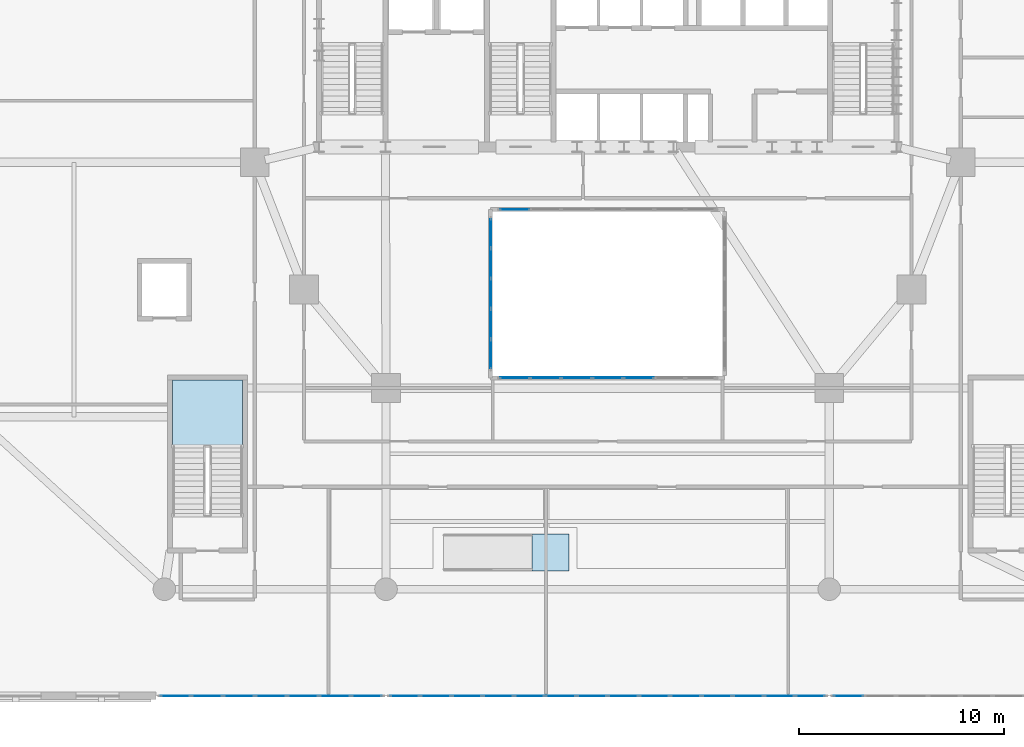
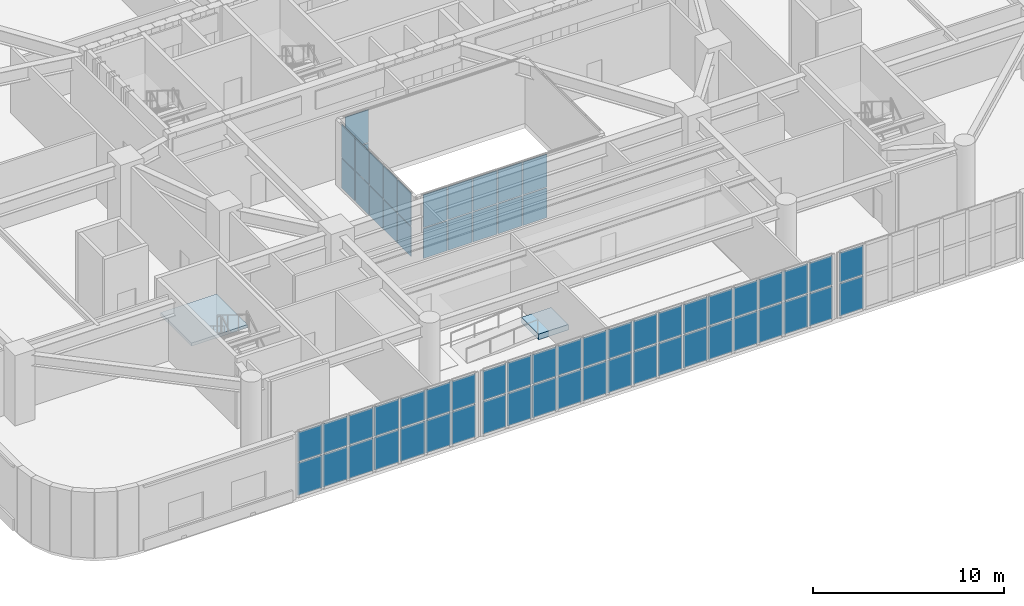
# One storey, part 11 of 25: 66 plates, 2 slabs, 8 elements without a shape of their own.
"""IFC4 building model written with IfcOpenShell, lengths in metres."""

from ifc_helpers import new_model, si_unit, direction, frame, origin, origin_2d, place, context, subcontext, project, spatial, polyline, rectangle, outline, extrude, material, layer, layer_set, type_object, element, aggregate, save


model = new_model("IFC4")

# Units and contexts
model_context = context("Model", 3, precision=1e-05, world=origin(), true_north=direction((0.0, 1.0)))
body_context = subcontext(model_context, "Body", "Model", "MODEL_VIEW")
ifc_project = project(units=[si_unit("LENGTHUNIT", "METRE"), si_unit("AREAUNIT", "SQUARE_METRE"), si_unit("VOLUMEUNIT", "CUBIC_METRE"), si_unit("PLANEANGLEUNIT", "RADIAN"), si_unit("MASSUNIT", "GRAM", prefix="KILO")], contexts=[model_context])

# Site, building, storey
site_placement = place(None, origin())
site = spatial("IfcSite", under=ifc_project, at=site_placement, CompositionType="ELEMENT")
building_placement = place(site_placement, origin())
building = spatial("IfcBuilding", under=site, at=building_placement, Name="Haldorwick Loom Tower", CompositionType="ELEMENT")
storey_placement = place(building_placement, frame((0.0, 0.0, 6.0)))
storey = spatial("IfcBuildingStorey", under=building, at=storey_placement, Name="L01", CompositionType="ELEMENT", Elevation=6.0)

# Curtain wall, plates
ifc_material_1 = material(Name="Thermally Broken Anodized Aluminium Curtain Wall Framing", Category="aluminium")
curtain_wall_type_1 = type_object("IfcCurtainWallType", Name="ARC-CW-01", PredefinedType="NOTDEFINED", material=ifc_material_1)
curtain_wall_1_placement = place(storey_placement, origin())
curtain_wall_1 = element("IfcCurtainWall", 1, at=curtain_wall_1_placement, inside=storey, type_object=curtain_wall_type_1, Name="L01 Facade Curtain Wall CW-01 Bay 39", PredefinedType="NOTDEFINED")
ifc_material_2 = material(Name="Triple-Glazed Low-E Argon Insulated Glazing Unit", Category="glass")
ifc_layer_1 = layer(ifc_material_2, 0.037109375, Name="Triple-Glazed Low-E Argon Insulated Glazing Unit", Category="glass")
ifc_layer_set_1 = layer_set([ifc_layer_1], Name="Triple-Glazed Low-E Argon Insulated Glazing Unit")
plate_type_1 = type_object("IfcPlateType", Name="ARC-CWP-01", PredefinedType="CURTAIN_PANEL", material=ifc_layer_set_1)
plate_1_placement = place(storey_placement, frame((14.938720703125, 0.0, 0.074951171875), z_axis=(0.0, 0.0, 1.0), x_axis=(1.0, 0.0, 0.0)))
plate_1 = element("IfcPlate", 2, at=plate_1_placement, type_object=plate_type_1, Name="CW-01 panel 1.1", PredefinedType="CURTAIN_PANEL", context=body_context, shape_type="SweptSolid", body=[
    extrude(rectangle(XDim=1.447509765625, YDim=0.037109375, at=origin_2d()), origin(), (0.0, 0.0, 1.0), 2.08740234375),
])
plate_2_placement = place(storey_placement, frame((14.938720703125, 0.0, 2.2373046875), z_axis=(0.0, 0.0, 1.0), x_axis=(1.0, 0.0, 0.0)))
plate_2 = element("IfcPlate", 3, at=plate_2_placement, type_object=plate_type_1, Name="CW-01 panel 1.2", PredefinedType="CURTAIN_PANEL", context=body_context, shape_type="SweptSolid", body=[
    extrude(rectangle(XDim=1.447509765625, YDim=0.037109375, at=origin_2d()), origin(), (0.0, 0.0, 1.0), 1.887451171875),
])
plate_3_placement = place(storey_placement, frame((16.47998046875, 0.0, 0.074951171875), z_axis=(0.0, 0.0, 1.0), x_axis=(1.0, 0.0, 0.0)))
plate_3 = element("IfcPlate", 4, at=plate_3_placement, type_object=plate_type_1, Name="CW-01 panel 2.1", PredefinedType="CURTAIN_PANEL", context=body_context, shape_type="SweptSolid", body=[
    extrude(rectangle(XDim=1.485107421875, YDim=0.037109375, at=origin_2d()), origin(), (0.0, 0.0, 1.0), 2.08740234375),
])
plate_4_placement = place(storey_placement, frame((16.47998046875, 0.0, 2.2373046875), z_axis=(0.0, 0.0, 1.0), x_axis=(1.0, 0.0, 0.0)))
plate_4 = element("IfcPlate", 5, at=plate_4_placement, type_object=plate_type_1, Name="CW-01 panel 2.2", PredefinedType="CURTAIN_PANEL", context=body_context, shape_type="SweptSolid", body=[
    extrude(rectangle(XDim=1.485107421875, YDim=0.037109375, at=origin_2d()), origin(), (0.0, 0.0, 1.0), 1.887451171875),
])
plate_5_placement = place(storey_placement, frame((18.0400390625, 0.0, 0.074951171875), z_axis=(0.0, 0.0, 1.0), x_axis=(1.0, 0.0, 0.0)))
plate_5 = element("IfcPlate", 6, at=plate_5_placement, type_object=plate_type_1, Name="CW-01 panel 3.1", PredefinedType="CURTAIN_PANEL", context=body_context, shape_type="SweptSolid", body=[
    extrude(rectangle(XDim=1.485107421875, YDim=0.037109375, at=origin_2d()), origin(), (0.0, 0.0, 1.0), 2.08740234375),
])
plate_6_placement = place(storey_placement, frame((18.0400390625, 0.0, 2.2373046875), z_axis=(0.0, 0.0, 1.0), x_axis=(1.0, 0.0, 0.0)))
plate_6 = element("IfcPlate", 7, at=plate_6_placement, type_object=plate_type_1, Name="CW-01 panel 3.2", PredefinedType="CURTAIN_PANEL", context=body_context, shape_type="SweptSolid", body=[
    extrude(rectangle(XDim=1.485107421875, YDim=0.037109375, at=origin_2d()), origin(), (0.0, 0.0, 1.0), 1.887451171875),
])
plate_7_placement = place(storey_placement, frame((19.60009765625, 0.0, 0.074951171875), z_axis=(0.0, 0.0, 1.0), x_axis=(1.0, 0.0, 0.0)))
plate_7 = element("IfcPlate", 8, at=plate_7_placement, type_object=plate_type_1, Name="CW-01 panel 4.1", PredefinedType="CURTAIN_PANEL", context=body_context, shape_type="SweptSolid", body=[
    extrude(rectangle(XDim=1.485107421875, YDim=0.037109375, at=origin_2d()), origin(), (0.0, 0.0, 1.0), 2.08740234375),
])
plate_8_placement = place(storey_placement, frame((19.60009765625, 0.0, 2.2373046875), z_axis=(0.0, 0.0, 1.0), x_axis=(1.0, 0.0, 0.0)))
plate_8 = element("IfcPlate", 9, at=plate_8_placement, type_object=plate_type_1, Name="CW-01 panel 4.2", PredefinedType="CURTAIN_PANEL", context=body_context, shape_type="SweptSolid", body=[
    extrude(rectangle(XDim=1.485107421875, YDim=0.037109375, at=origin_2d()), origin(), (0.0, 0.0, 1.0), 1.887451171875),
])
plate_9_placement = place(storey_placement, frame((21.159912109375, 0.0, 0.074951171875), z_axis=(0.0, 0.0, 1.0), x_axis=(1.0, 0.0, 0.0)))
plate_9 = element("IfcPlate", 10, at=plate_9_placement, type_object=plate_type_1, Name="CW-01 panel 5.1", PredefinedType="CURTAIN_PANEL", context=body_context, shape_type="SweptSolid", body=[
    extrude(rectangle(XDim=1.485107421875, YDim=0.037109375, at=origin_2d()), origin(), (0.0, 0.0, 1.0), 2.08740234375),
])
plate_10_placement = place(storey_placement, frame((21.159912109375, 0.0, 2.2373046875), z_axis=(0.0, 0.0, 1.0), x_axis=(1.0, 0.0, 0.0)))
plate_10 = element("IfcPlate", 11, at=plate_10_placement, type_object=plate_type_1, Name="CW-01 panel 5.2", PredefinedType="CURTAIN_PANEL", context=body_context, shape_type="SweptSolid", body=[
    extrude(rectangle(XDim=1.485107421875, YDim=0.037109375, at=origin_2d()), origin(), (0.0, 0.0, 1.0), 1.887451171875),
])
plate_11_placement = place(storey_placement, frame((22.719970703125, 0.0, 0.074951171875), z_axis=(0.0, 0.0, 1.0), x_axis=(1.0, 0.0, 0.0)))
plate_11 = element("IfcPlate", 12, at=plate_11_placement, type_object=plate_type_1, Name="CW-01 panel 6.1", PredefinedType="CURTAIN_PANEL", context=body_context, shape_type="SweptSolid", body=[
    extrude(rectangle(XDim=1.485107421875, YDim=0.037109375, at=origin_2d()), origin(), (0.0, 0.0, 1.0), 2.08740234375),
])
plate_12_placement = place(storey_placement, frame((22.719970703125, 0.0, 2.2373046875), z_axis=(0.0, 0.0, 1.0), x_axis=(1.0, 0.0, 0.0)))
plate_12 = element("IfcPlate", 13, at=plate_12_placement, type_object=plate_type_1, Name="CW-01 panel 6.2", PredefinedType="CURTAIN_PANEL", context=body_context, shape_type="SweptSolid", body=[
    extrude(rectangle(XDim=1.485107421875, YDim=0.037109375, at=origin_2d()), origin(), (0.0, 0.0, 1.0), 1.887451171875),
])
plate_13_placement = place(storey_placement, frame((24.26123046875, 0.0, 0.074951171875), z_axis=(0.0, 0.0, 1.0), x_axis=(1.0, 0.0, 0.0)))
plate_13 = element("IfcPlate", 14, at=plate_13_placement, type_object=plate_type_1, Name="CW-01 panel 7.1", PredefinedType="CURTAIN_PANEL", context=body_context, shape_type="SweptSolid", body=[
    extrude(rectangle(XDim=1.447509765625, YDim=0.037109375, at=origin_2d()), origin(), (0.0, 0.0, 1.0), 2.08740234375),
])
plate_14_placement = place(storey_placement, frame((24.26123046875, 0.0, 2.2373046875), z_axis=(0.0, 0.0, 1.0), x_axis=(1.0, 0.0, 0.0)))
plate_14 = element("IfcPlate", 15, at=plate_14_placement, type_object=plate_type_1, Name="CW-01 panel 7.2", PredefinedType="CURTAIN_PANEL", context=body_context, shape_type="SweptSolid", body=[
    extrude(rectangle(XDim=1.447509765625, YDim=0.037109375, at=origin_2d()), origin(), (0.0, 0.0, 1.0), 1.887451171875),
])
aggregate(curtain_wall_1, [plate_1, plate_2, plate_3, plate_4, plate_5, plate_6, plate_7, plate_8, plate_9, plate_10, plate_11, plate_12, plate_13, plate_14])

curtain_wall_2_placement = place(storey_placement, origin())
curtain_wall_2 = element("IfcCurtainWall", 16, at=curtain_wall_2_placement, inside=storey, type_object=curtain_wall_type_1, Name="L01 Facade Curtain Wall CW-01 Bay 40", PredefinedType="NOTDEFINED")
plate_15_placement = place(storey_placement, frame((26.1201171875, 0.0, 0.074951171875), z_axis=(0.0, 0.0, 1.0), x_axis=(1.0, 0.0, 0.0)))
plate_15 = element("IfcPlate", 17, at=plate_15_placement, type_object=plate_type_1, Name="CW-01 panel 1.1", PredefinedType="CURTAIN_PANEL", context=body_context, shape_type="SweptSolid", body=[
    extrude(rectangle(XDim=1.410400390625, YDim=0.037109375, at=origin_2d()), origin(), (0.0, 0.0, 1.0), 2.08740234375),
])
plate_16_placement = place(storey_placement, frame((26.1201171875, 0.0, 2.2373046875), z_axis=(0.0, 0.0, 1.0), x_axis=(1.0, 0.0, 0.0)))
plate_16 = element("IfcPlate", 18, at=plate_16_placement, type_object=plate_type_1, Name="CW-01 panel 1.2", PredefinedType="CURTAIN_PANEL", context=body_context, shape_type="SweptSolid", body=[
    extrude(rectangle(XDim=1.410400390625, YDim=0.037109375, at=origin_2d()), origin(), (0.0, 0.0, 1.0), 1.887451171875),
])
plate_17_placement = place(storey_placement, frame((27.624267578125, 0.0, 0.074951171875), z_axis=(0.0, 0.0, 1.0), x_axis=(1.0, 0.0, 0.0)))
plate_17 = element("IfcPlate", 19, at=plate_17_placement, type_object=plate_type_1, Name="CW-01 panel 2.1", PredefinedType="CURTAIN_PANEL", context=body_context, shape_type="SweptSolid", body=[
    extrude(rectangle(XDim=1.44775390625, YDim=0.037109375, at=origin_2d()), origin(), (0.0, 0.0, 1.0), 2.08740234375),
])
plate_18_placement = place(storey_placement, frame((27.624267578125, 0.0, 2.2373046875), z_axis=(0.0, 0.0, 1.0), x_axis=(1.0, 0.0, 0.0)))
plate_18 = element("IfcPlate", 20, at=plate_18_placement, type_object=plate_type_1, Name="CW-01 panel 2.2", PredefinedType="CURTAIN_PANEL", context=body_context, shape_type="SweptSolid", body=[
    extrude(rectangle(XDim=1.44775390625, YDim=0.037109375, at=origin_2d()), origin(), (0.0, 0.0, 1.0), 1.887451171875),
])
plate_19_placement = place(storey_placement, frame((29.147216796875, 0.0, 0.074951171875), z_axis=(0.0, 0.0, 1.0), x_axis=(1.0, 0.0, 0.0)))
plate_19 = element("IfcPlate", 21, at=plate_19_placement, type_object=plate_type_1, Name="CW-01 panel 3.1", PredefinedType="CURTAIN_PANEL", context=body_context, shape_type="SweptSolid", body=[
    extrude(rectangle(XDim=1.44775390625, YDim=0.037109375, at=origin_2d()), origin(), (0.0, 0.0, 1.0), 2.08740234375),
])
plate_20_placement = place(storey_placement, frame((29.147216796875, 0.0, 2.2373046875), z_axis=(0.0, 0.0, 1.0), x_axis=(1.0, 0.0, 0.0)))
plate_20 = element("IfcPlate", 22, at=plate_20_placement, type_object=plate_type_1, Name="CW-01 panel 3.2", PredefinedType="CURTAIN_PANEL", context=body_context, shape_type="SweptSolid", body=[
    extrude(rectangle(XDim=1.44775390625, YDim=0.037109375, at=origin_2d()), origin(), (0.0, 0.0, 1.0), 1.887451171875),
])
plate_21_placement = place(storey_placement, frame((30.669921875, 0.0, 0.074951171875), z_axis=(0.0, 0.0, 1.0), x_axis=(1.0, 0.0, 0.0)))
plate_21 = element("IfcPlate", 23, at=plate_21_placement, type_object=plate_type_1, Name="CW-01 panel 4.1", PredefinedType="CURTAIN_PANEL", context=body_context, shape_type="SweptSolid", body=[
    extrude(rectangle(XDim=1.44775390625, YDim=0.037109375, at=origin_2d()), origin(), (0.0, 0.0, 1.0), 2.08740234375),
])
plate_22_placement = place(storey_placement, frame((30.669921875, 0.0, 2.2373046875), z_axis=(0.0, 0.0, 1.0), x_axis=(1.0, 0.0, 0.0)))
plate_22 = element("IfcPlate", 24, at=plate_22_placement, type_object=plate_type_1, Name="CW-01 panel 4.2", PredefinedType="CURTAIN_PANEL", context=body_context, shape_type="SweptSolid", body=[
    extrude(rectangle(XDim=1.44775390625, YDim=0.037109375, at=origin_2d()), origin(), (0.0, 0.0, 1.0), 1.887451171875),
])
plate_23_placement = place(storey_placement, frame((32.19287109375, 0.0, 0.074951171875), z_axis=(0.0, 0.0, 1.0), x_axis=(1.0, 0.0, 0.0)))
plate_23 = element("IfcPlate", 25, at=plate_23_placement, type_object=plate_type_1, Name="CW-01 panel 5.1", PredefinedType="CURTAIN_PANEL", context=body_context, shape_type="SweptSolid", body=[
    extrude(rectangle(XDim=1.44775390625, YDim=0.037109375, at=origin_2d()), origin(), (0.0, 0.0, 1.0), 2.08740234375),
])
plate_24_placement = place(storey_placement, frame((32.19287109375, 0.0, 2.2373046875), z_axis=(0.0, 0.0, 1.0), x_axis=(1.0, 0.0, 0.0)))
plate_24 = element("IfcPlate", 26, at=plate_24_placement, type_object=plate_type_1, Name="CW-01 panel 5.2", PredefinedType="CURTAIN_PANEL", context=body_context, shape_type="SweptSolid", body=[
    extrude(rectangle(XDim=1.44775390625, YDim=0.037109375, at=origin_2d()), origin(), (0.0, 0.0, 1.0), 1.887451171875),
])
plate_25_placement = place(storey_placement, frame((33.7158203125, 0.0, 0.074951171875), z_axis=(0.0, 0.0, 1.0), x_axis=(1.0, 0.0, 0.0)))
plate_25 = element("IfcPlate", 27, at=plate_25_placement, type_object=plate_type_1, Name="CW-01 panel 6.1", PredefinedType="CURTAIN_PANEL", context=body_context, shape_type="SweptSolid", body=[
    extrude(rectangle(XDim=1.44775390625, YDim=0.037109375, at=origin_2d()), origin(), (0.0, 0.0, 1.0), 2.08740234375),
])
plate_26_placement = place(storey_placement, frame((33.7158203125, 0.0, 2.2373046875), z_axis=(0.0, 0.0, 1.0), x_axis=(1.0, 0.0, 0.0)))
plate_26 = element("IfcPlate", 28, at=plate_26_placement, type_object=plate_type_1, Name="CW-01 panel 6.2", PredefinedType="CURTAIN_PANEL", context=body_context, shape_type="SweptSolid", body=[
    extrude(rectangle(XDim=1.44775390625, YDim=0.037109375, at=origin_2d()), origin(), (0.0, 0.0, 1.0), 1.887451171875),
])
plate_27_placement = place(storey_placement, frame((35.238525390625, 0.0, 0.074951171875), z_axis=(0.0, 0.0, 1.0), x_axis=(1.0, 0.0, 0.0)))
plate_27 = element("IfcPlate", 29, at=plate_27_placement, type_object=plate_type_1, Name="CW-01 panel 7.1", PredefinedType="CURTAIN_PANEL", context=body_context, shape_type="SweptSolid", body=[
    extrude(rectangle(XDim=1.44775390625, YDim=0.037109375, at=origin_2d()), origin(), (0.0, 0.0, 1.0), 2.08740234375),
])
plate_28_placement = place(storey_placement, frame((35.238525390625, 0.0, 2.2373046875), z_axis=(0.0, 0.0, 1.0), x_axis=(1.0, 0.0, 0.0)))
plate_28 = element("IfcPlate", 30, at=plate_28_placement, type_object=plate_type_1, Name="CW-01 panel 7.2", PredefinedType="CURTAIN_PANEL", context=body_context, shape_type="SweptSolid", body=[
    extrude(rectangle(XDim=1.44775390625, YDim=0.037109375, at=origin_2d()), origin(), (0.0, 0.0, 1.0), 1.887451171875),
])
plate_29_placement = place(storey_placement, frame((36.761474609375, 0.0, 0.074951171875), z_axis=(0.0, 0.0, 1.0), x_axis=(1.0, 0.0, 0.0)))
plate_29 = element("IfcPlate", 31, at=plate_29_placement, type_object=plate_type_1, Name="CW-01 panel 8.1", PredefinedType="CURTAIN_PANEL", context=body_context, shape_type="SweptSolid", body=[
    extrude(rectangle(XDim=1.44775390625, YDim=0.037109375, at=origin_2d()), origin(), (0.0, 0.0, 1.0), 2.08740234375),
])
plate_30_placement = place(storey_placement, frame((36.761474609375, 0.0, 2.2373046875), z_axis=(0.0, 0.0, 1.0), x_axis=(1.0, 0.0, 0.0)))
plate_30 = element("IfcPlate", 32, at=plate_30_placement, type_object=plate_type_1, Name="CW-01 panel 8.2", PredefinedType="CURTAIN_PANEL", context=body_context, shape_type="SweptSolid", body=[
    extrude(rectangle(XDim=1.44775390625, YDim=0.037109375, at=origin_2d()), origin(), (0.0, 0.0, 1.0), 1.887451171875),
])
plate_31_placement = place(storey_placement, frame((38.2841796875, 0.0, 0.074951171875), z_axis=(0.0, 0.0, 1.0), x_axis=(1.0, 0.0, 0.0)))
plate_31 = element("IfcPlate", 33, at=plate_31_placement, type_object=plate_type_1, Name="CW-01 panel 9.1", PredefinedType="CURTAIN_PANEL", context=body_context, shape_type="SweptSolid", body=[
    extrude(rectangle(XDim=1.44775390625, YDim=0.037109375, at=origin_2d()), origin(), (0.0, 0.0, 1.0), 2.08740234375),
])
plate_32_placement = place(storey_placement, frame((38.2841796875, 0.0, 2.2373046875), z_axis=(0.0, 0.0, 1.0), x_axis=(1.0, 0.0, 0.0)))
plate_32 = element("IfcPlate", 34, at=plate_32_placement, type_object=plate_type_1, Name="CW-01 panel 9.2", PredefinedType="CURTAIN_PANEL", context=body_context, shape_type="SweptSolid", body=[
    extrude(rectangle(XDim=1.44775390625, YDim=0.037109375, at=origin_2d()), origin(), (0.0, 0.0, 1.0), 1.887451171875),
])
plate_33_placement = place(storey_placement, frame((39.80712890625, 0.0, 0.074951171875), z_axis=(0.0, 0.0, 1.0), x_axis=(1.0, 0.0, 0.0)))
plate_33 = element("IfcPlate", 35, at=plate_33_placement, type_object=plate_type_1, Name="CW-01 panel 10.1", PredefinedType="CURTAIN_PANEL", context=body_context, shape_type="SweptSolid", body=[
    extrude(rectangle(XDim=1.44775390625, YDim=0.037109375, at=origin_2d()), origin(), (0.0, 0.0, 1.0), 2.08740234375),
])
plate_34_placement = place(storey_placement, frame((39.80712890625, 0.0, 2.2373046875), z_axis=(0.0, 0.0, 1.0), x_axis=(1.0, 0.0, 0.0)))
plate_34 = element("IfcPlate", 36, at=plate_34_placement, type_object=plate_type_1, Name="CW-01 panel 10.2", PredefinedType="CURTAIN_PANEL", context=body_context, shape_type="SweptSolid", body=[
    extrude(rectangle(XDim=1.44775390625, YDim=0.037109375, at=origin_2d()), origin(), (0.0, 0.0, 1.0), 1.887451171875),
])
plate_35_placement = place(storey_placement, frame((41.330078125, 0.0, 0.074951171875), z_axis=(0.0, 0.0, 1.0), x_axis=(1.0, 0.0, 0.0)))
plate_35 = element("IfcPlate", 37, at=plate_35_placement, type_object=plate_type_1, Name="CW-01 panel 11.1", PredefinedType="CURTAIN_PANEL", context=body_context, shape_type="SweptSolid", body=[
    extrude(rectangle(XDim=1.44775390625, YDim=0.037109375, at=origin_2d()), origin(), (0.0, 0.0, 1.0), 2.08740234375),
])
plate_36_placement = place(storey_placement, frame((41.330078125, 0.0, 2.2373046875), z_axis=(0.0, 0.0, 1.0), x_axis=(1.0, 0.0, 0.0)))
plate_36 = element("IfcPlate", 38, at=plate_36_placement, type_object=plate_type_1, Name="CW-01 panel 11.2", PredefinedType="CURTAIN_PANEL", context=body_context, shape_type="SweptSolid", body=[
    extrude(rectangle(XDim=1.44775390625, YDim=0.037109375, at=origin_2d()), origin(), (0.0, 0.0, 1.0), 1.887451171875),
])
plate_37_placement = place(storey_placement, frame((42.852783203125, 0.0, 0.074951171875), z_axis=(0.0, 0.0, 1.0), x_axis=(1.0, 0.0, 0.0)))
plate_37 = element("IfcPlate", 39, at=plate_37_placement, type_object=plate_type_1, Name="CW-01 panel 12.1", PredefinedType="CURTAIN_PANEL", context=body_context, shape_type="SweptSolid", body=[
    extrude(rectangle(XDim=1.44775390625, YDim=0.037109375, at=origin_2d()), origin(), (0.0, 0.0, 1.0), 2.08740234375),
])
plate_38_placement = place(storey_placement, frame((42.852783203125, 0.0, 2.2373046875), z_axis=(0.0, 0.0, 1.0), x_axis=(1.0, 0.0, 0.0)))
plate_38 = element("IfcPlate", 40, at=plate_38_placement, type_object=plate_type_1, Name="CW-01 panel 12.2", PredefinedType="CURTAIN_PANEL", context=body_context, shape_type="SweptSolid", body=[
    extrude(rectangle(XDim=1.44775390625, YDim=0.037109375, at=origin_2d()), origin(), (0.0, 0.0, 1.0), 1.887451171875),
])
plate_39_placement = place(storey_placement, frame((44.375732421875, 0.0, 0.074951171875), z_axis=(0.0, 0.0, 1.0), x_axis=(1.0, 0.0, 0.0)))
plate_39 = element("IfcPlate", 41, at=plate_39_placement, type_object=plate_type_1, Name="CW-01 panel 13.1", PredefinedType="CURTAIN_PANEL", context=body_context, shape_type="SweptSolid", body=[
    extrude(rectangle(XDim=1.44775390625, YDim=0.037109375, at=origin_2d()), origin(), (0.0, 0.0, 1.0), 2.08740234375),
])
plate_40_placement = place(storey_placement, frame((44.375732421875, 0.0, 2.2373046875), z_axis=(0.0, 0.0, 1.0), x_axis=(1.0, 0.0, 0.0)))
plate_40 = element("IfcPlate", 42, at=plate_40_placement, type_object=plate_type_1, Name="CW-01 panel 13.2", PredefinedType="CURTAIN_PANEL", context=body_context, shape_type="SweptSolid", body=[
    extrude(rectangle(XDim=1.44775390625, YDim=0.037109375, at=origin_2d()), origin(), (0.0, 0.0, 1.0), 1.887451171875),
])
plate_41_placement = place(storey_placement, frame((45.8798828125, 0.0, 0.074951171875), z_axis=(0.0, 0.0, 1.0), x_axis=(1.0, 0.0, 0.0)))
plate_41 = element("IfcPlate", 43, at=plate_41_placement, type_object=plate_type_1, Name="CW-01 panel 14.1", PredefinedType="CURTAIN_PANEL", context=body_context, shape_type="SweptSolid", body=[
    extrude(rectangle(XDim=1.410400390625, YDim=0.037109375, at=origin_2d()), origin(), (0.0, 0.0, 1.0), 2.08740234375),
])
plate_42_placement = place(storey_placement, frame((45.8798828125, 0.0, 2.2373046875), z_axis=(0.0, 0.0, 1.0), x_axis=(1.0, 0.0, 0.0)))
plate_42 = element("IfcPlate", 44, at=plate_42_placement, type_object=plate_type_1, Name="CW-01 panel 14.2", PredefinedType="CURTAIN_PANEL", context=body_context, shape_type="SweptSolid", body=[
    extrude(rectangle(XDim=1.410400390625, YDim=0.037109375, at=origin_2d()), origin(), (0.0, 0.0, 1.0), 1.887451171875),
])
aggregate(curtain_wall_2, [plate_15, plate_16, plate_17, plate_18, plate_19, plate_20, plate_21, plate_22, plate_23, plate_24, plate_25, plate_26, plate_27, plate_28, plate_29, plate_30, plate_31, plate_32, plate_33, plate_34, plate_35, plate_36, plate_37, plate_38, plate_39, plate_40, plate_41, plate_42])

curtain_wall_3_placement = place(storey_placement, origin())
curtain_wall_3 = element("IfcCurtainWall", 45, at=curtain_wall_3_placement, inside=storey, type_object=curtain_wall_type_1, Name="L01 Facade Curtain Wall CW-01 Bay 41", PredefinedType="NOTDEFINED")
plate_43_placement = place(storey_placement, frame((47.73876953125, 0.0, 0.074951171875), z_axis=(0.0, 0.0, 1.0), x_axis=(1.0, 0.0, 0.0)))
plate_43 = element("IfcPlate", 46, at=plate_43_placement, type_object=plate_type_1, Name="CW-01 panel 1.1", PredefinedType="CURTAIN_PANEL", context=body_context, shape_type="SweptSolid", body=[
    extrude(rectangle(XDim=1.447509765625, YDim=0.037109375, at=origin_2d()), origin(), (0.0, 0.0, 1.0), 2.08740234375),
])
plate_44_placement = place(storey_placement, frame((47.73876953125, 0.0, 2.2373046875), z_axis=(0.0, 0.0, 1.0), x_axis=(1.0, 0.0, 0.0)))
plate_44 = element("IfcPlate", 47, at=plate_44_placement, type_object=plate_type_1, Name="CW-01 panel 1.2", PredefinedType="CURTAIN_PANEL", context=body_context, shape_type="SweptSolid", body=[
    extrude(rectangle(XDim=1.447509765625, YDim=0.037109375, at=origin_2d()), origin(), (0.0, 0.0, 1.0), 1.887451171875),
])
aggregate(curtain_wall_3, [plate_43, plate_44])

curtain_wall_type_2 = type_object("IfcCurtainWallType", Name="ARC-CW-03", PredefinedType="NOTDEFINED", material=ifc_material_1)
curtain_wall_4_placement = place(storey_placement, origin())
curtain_wall_4 = element("IfcCurtainWall", 48, at=curtain_wall_4_placement, inside=storey, type_object=curtain_wall_type_2, Name="L01 Atrium Glazed Screen S", PredefinedType="NOTDEFINED")
ifc_layer_2 = layer(ifc_material_2, 0.04296875, Name="Triple-Glazed Low-E Argon Insulated Glazing Unit", Category="glass")
ifc_layer_set_2 = layer_set([ifc_layer_2], Name="Triple-Glazed Low-E Argon Insulated Glazing Unit")
plate_type_2 = type_object("IfcPlateType", Name="ARC-CWP-03", PredefinedType="CURTAIN_PANEL", material=ifc_layer_set_2)
plate_45_placement = place(storey_placement, frame((37.514404296875, 15.5, 0.066162109375), z_axis=(0.0, 0.0, 1.0), x_axis=(-1.0, 0.0, 0.0)))
plate_45 = element("IfcPlate", 49, at=plate_45_placement, type_object=plate_type_2, Name="CW-03 panel 3.1", PredefinedType="CURTAIN_PANEL", context=body_context, shape_type="SweptSolid", body=[
    extrude(rectangle(XDim=1.4482421875, YDim=0.04296875, at=origin_2d()), origin(), (0.0, 0.0, 1.0), 1.90087890625),
])
plate_46_placement = place(storey_placement, frame((37.514404296875, 15.5, 2.032958984375), z_axis=(0.0, 0.0, 1.0), x_axis=(-1.0, 0.0, 0.0)))
plate_46 = element("IfcPlate", 50, at=plate_46_placement, type_object=plate_type_2, Name="CW-03 panel 3.2", PredefinedType="CURTAIN_PANEL", context=body_context, shape_type="SweptSolid", body=[
    extrude(rectangle(XDim=1.4482421875, YDim=0.04296875, at=origin_2d()), origin(), (0.0, 0.0, 1.0), 2.10107421875),
])
plate_47_placement = place(storey_placement, frame((36.0, 15.5, 0.066162109375), z_axis=(0.0, 0.0, 1.0), x_axis=(-1.0, 0.0, 0.0)))
plate_47 = element("IfcPlate", 51, at=plate_47_placement, type_object=plate_type_2, Name="CW-03 panel 4.1", PredefinedType="CURTAIN_PANEL", context=body_context, shape_type="SweptSolid", body=[
    extrude(rectangle(XDim=1.4482421875, YDim=0.04296875, at=origin_2d()), origin(), (0.0, 0.0, 1.0), 1.90087890625),
])
plate_48_placement = place(storey_placement, frame((36.0, 15.5, 2.032958984375), z_axis=(0.0, 0.0, 1.0), x_axis=(-1.0, 0.0, 0.0)))
plate_48 = element("IfcPlate", 52, at=plate_48_placement, type_object=plate_type_2, Name="CW-03 panel 4.2", PredefinedType="CURTAIN_PANEL", context=body_context, shape_type="SweptSolid", body=[
    extrude(rectangle(XDim=1.4482421875, YDim=0.04296875, at=origin_2d()), origin(), (0.0, 0.0, 1.0), 2.10107421875),
])
plate_49_placement = place(storey_placement, frame((34.485595703125, 15.5, 0.066162109375), z_axis=(0.0, 0.0, 1.0), x_axis=(-1.0, 0.0, 0.0)))
plate_49 = element("IfcPlate", 53, at=plate_49_placement, type_object=plate_type_2, Name="CW-03 panel 5.1", PredefinedType="CURTAIN_PANEL", context=body_context, shape_type="SweptSolid", body=[
    extrude(rectangle(XDim=1.4482421875, YDim=0.04296875, at=origin_2d()), origin(), (0.0, 0.0, 1.0), 1.90087890625),
])
plate_50_placement = place(storey_placement, frame((34.485595703125, 15.5, 2.032958984375), z_axis=(0.0, 0.0, 1.0), x_axis=(-1.0, 0.0, 0.0)))
plate_50 = element("IfcPlate", 54, at=plate_50_placement, type_object=plate_type_2, Name="CW-03 panel 5.2", PredefinedType="CURTAIN_PANEL", context=body_context, shape_type="SweptSolid", body=[
    extrude(rectangle(XDim=1.4482421875, YDim=0.04296875, at=origin_2d()), origin(), (0.0, 0.0, 1.0), 2.10107421875),
])
plate_51_placement = place(storey_placement, frame((32.971435546875, 15.5, 0.066162109375), z_axis=(0.0, 0.0, 1.0), x_axis=(-1.0, 0.0, 0.0)))
plate_51 = element("IfcPlate", 55, at=plate_51_placement, type_object=plate_type_2, Name="CW-03 panel 6.1", PredefinedType="CURTAIN_PANEL", context=body_context, shape_type="SweptSolid", body=[
    extrude(rectangle(XDim=1.4482421875, YDim=0.04296875, at=origin_2d()), origin(), (0.0, 0.0, 1.0), 1.90087890625),
])
plate_52_placement = place(storey_placement, frame((32.971435546875, 15.5, 2.032958984375), z_axis=(0.0, 0.0, 1.0), x_axis=(-1.0, 0.0, 0.0)))
plate_52 = element("IfcPlate", 56, at=plate_52_placement, type_object=plate_type_2, Name="CW-03 panel 6.2", PredefinedType="CURTAIN_PANEL", context=body_context, shape_type="SweptSolid", body=[
    extrude(rectangle(XDim=1.4482421875, YDim=0.04296875, at=origin_2d()), origin(), (0.0, 0.0, 1.0), 2.10107421875),
])
plate_53_placement = place(storey_placement, frame((31.4736328125, 15.5, 0.066162109375), z_axis=(0.0, 0.0, 1.0), x_axis=(-1.0, 0.0, 0.0)))
plate_53 = element("IfcPlate", 57, at=plate_53_placement, type_object=plate_type_2, Name="CW-03 panel 7.1", PredefinedType="CURTAIN_PANEL", context=body_context, shape_type="SweptSolid", body=[
    extrude(rectangle(XDim=1.415283203125, YDim=0.04296875, at=origin_2d()), origin(), (0.0, 0.0, 1.0), 1.90087890625),
])
plate_54_placement = place(storey_placement, frame((31.4736328125, 15.5, 2.032958984375), z_axis=(0.0, 0.0, 1.0), x_axis=(-1.0, 0.0, 0.0)))
plate_54 = element("IfcPlate", 58, at=plate_54_placement, type_object=plate_type_2, Name="CW-03 panel 7.2", PredefinedType="CURTAIN_PANEL", context=body_context, shape_type="SweptSolid", body=[
    extrude(rectangle(XDim=1.415283203125, YDim=0.04296875, at=origin_2d()), origin(), (0.0, 0.0, 1.0), 2.10107421875),
])
aggregate(curtain_wall_4, [plate_45, plate_46, plate_47, plate_48, plate_49, plate_50, plate_51, plate_52, plate_53, plate_54])

curtain_wall_5_placement = place(storey_placement, origin())
curtain_wall_5 = element("IfcCurtainWall", 59, at=curtain_wall_5_placement, inside=storey, type_object=curtain_wall_type_2, Name="L01 Atrium Glazed Screen N", PredefinedType="NOTDEFINED")
plate_55_placement = place(storey_placement, frame((31.4736328125, 23.699951171875, 0.066162109375), z_axis=(0.0, 0.0, 1.0), x_axis=(1.0, 0.0, 0.0)))
plate_55 = element("IfcPlate", 60, at=plate_55_placement, type_object=plate_type_2, Name="CW-03 panel 1.1", PredefinedType="CURTAIN_PANEL", context=body_context, shape_type="SweptSolid", body=[
    extrude(rectangle(XDim=1.415283203125, YDim=0.04296875, at=origin_2d()), origin(), (0.0, 0.0, 1.0), 1.90087890625),
])
plate_56_placement = place(storey_placement, frame((31.4736328125, 23.699951171875, 2.032958984375), z_axis=(0.0, 0.0, 1.0), x_axis=(1.0, 0.0, 0.0)))
plate_56 = element("IfcPlate", 61, at=plate_56_placement, type_object=plate_type_2, Name="CW-03 panel 1.2", PredefinedType="CURTAIN_PANEL", context=body_context, shape_type="SweptSolid", body=[
    extrude(rectangle(XDim=1.415283203125, YDim=0.04296875, at=origin_2d()), origin(), (0.0, 0.0, 1.0), 2.10107421875),
])
aggregate(curtain_wall_5, [plate_55, plate_56])

curtain_wall_6_placement = place(storey_placement, origin())
curtain_wall_6 = element("IfcCurtainWall", 62, at=curtain_wall_6_placement, inside=storey, type_object=curtain_wall_type_2, Name="L01 Atrium Glazed Screen W", PredefinedType="NOTDEFINED")
plate_57_placement = place(storey_placement, frame((30.300048828125, 16.656494140625, 0.066162109375), z_axis=(0.0, 0.0, 1.0), x_axis=(0.0, 1.0, 0.0)))
plate_57 = element("IfcPlate", 63, at=plate_57_placement, type_object=plate_type_2, Name="CW-03 panel 1.1", PredefinedType="CURTAIN_PANEL", context=body_context, shape_type="SweptSolid", body=[
    extrude(rectangle(XDim=1.381103515625, YDim=0.04296875, at=origin_2d()), origin(), (0.0, 0.0, 1.0), 1.90087890625),
])
plate_58_placement = place(storey_placement, frame((30.300048828125, 16.656494140625, 2.032958984375), z_axis=(0.0, 0.0, 1.0), x_axis=(0.0, 1.0, 0.0)))
plate_58 = element("IfcPlate", 64, at=plate_58_placement, type_object=plate_type_2, Name="CW-03 panel 1.2", PredefinedType="CURTAIN_PANEL", context=body_context, shape_type="SweptSolid", body=[
    extrude(rectangle(XDim=1.381103515625, YDim=0.04296875, at=origin_2d()), origin(), (0.0, 0.0, 1.0), 2.10107421875),
])
plate_59_placement = place(storey_placement, frame((30.300048828125, 18.1201171875, 0.066162109375), z_axis=(0.0, 0.0, 1.0), x_axis=(0.0, 1.0, 0.0)))
plate_59 = element("IfcPlate", 65, at=plate_59_placement, type_object=plate_type_2, Name="CW-03 panel 2.1", PredefinedType="CURTAIN_PANEL", context=body_context, shape_type="SweptSolid", body=[
    extrude(rectangle(XDim=1.4140625, YDim=0.04296875, at=origin_2d()), origin(), (0.0, 0.0, 1.0), 1.90087890625),
])
plate_60_placement = place(storey_placement, frame((30.300048828125, 18.1201171875, 2.032958984375), z_axis=(0.0, 0.0, 1.0), x_axis=(0.0, 1.0, 0.0)))
plate_60 = element("IfcPlate", 66, at=plate_60_placement, type_object=plate_type_2, Name="CW-03 panel 2.2", PredefinedType="CURTAIN_PANEL", context=body_context, shape_type="SweptSolid", body=[
    extrude(rectangle(XDim=1.4140625, YDim=0.04296875, at=origin_2d()), origin(), (0.0, 0.0, 1.0), 2.10107421875),
])
plate_61_placement = place(storey_placement, frame((30.300048828125, 19.60009765625, 0.066162109375), z_axis=(0.0, 0.0, 1.0), x_axis=(0.0, 1.0, 0.0)))
plate_61 = element("IfcPlate", 67, at=plate_61_placement, type_object=plate_type_2, Name="CW-03 panel 3.1", PredefinedType="CURTAIN_PANEL", context=body_context, shape_type="SweptSolid", body=[
    extrude(rectangle(XDim=1.4140625, YDim=0.04296875, at=origin_2d()), origin(), (0.0, 0.0, 1.0), 1.90087890625),
])
plate_62_placement = place(storey_placement, frame((30.300048828125, 19.60009765625, 2.032958984375), z_axis=(0.0, 0.0, 1.0), x_axis=(0.0, 1.0, 0.0)))
plate_62 = element("IfcPlate", 68, at=plate_62_placement, type_object=plate_type_2, Name="CW-03 panel 3.2", PredefinedType="CURTAIN_PANEL", context=body_context, shape_type="SweptSolid", body=[
    extrude(rectangle(XDim=1.4140625, YDim=0.04296875, at=origin_2d()), origin(), (0.0, 0.0, 1.0), 2.10107421875),
])
plate_63_placement = place(storey_placement, frame((30.300048828125, 21.080078125, 0.066162109375), z_axis=(0.0, 0.0, 1.0), x_axis=(0.0, 1.0, 0.0)))
plate_63 = element("IfcPlate", 69, at=plate_63_placement, type_object=plate_type_2, Name="CW-03 panel 4.1", PredefinedType="CURTAIN_PANEL", context=body_context, shape_type="SweptSolid", body=[
    extrude(rectangle(XDim=1.4140625, YDim=0.04296875, at=origin_2d()), origin(), (0.0, 0.0, 1.0), 1.90087890625),
])
plate_64_placement = place(storey_placement, frame((30.300048828125, 21.080078125, 2.032958984375), z_axis=(0.0, 0.0, 1.0), x_axis=(0.0, 1.0, 0.0)))
plate_64 = element("IfcPlate", 70, at=plate_64_placement, type_object=plate_type_2, Name="CW-03 panel 4.2", PredefinedType="CURTAIN_PANEL", context=body_context, shape_type="SweptSolid", body=[
    extrude(rectangle(XDim=1.4140625, YDim=0.04296875, at=origin_2d()), origin(), (0.0, 0.0, 1.0), 2.10107421875),
])
plate_65_placement = place(storey_placement, frame((30.300048828125, 22.54345703125, 0.066162109375), z_axis=(0.0, 0.0, 1.0), x_axis=(0.0, 1.0, 0.0)))
plate_65 = element("IfcPlate", 71, at=plate_65_placement, type_object=plate_type_2, Name="CW-03 panel 5.1", PredefinedType="CURTAIN_PANEL", context=body_context, shape_type="SweptSolid", body=[
    extrude(rectangle(XDim=1.381103515625, YDim=0.04296875, at=origin_2d()), origin(), (0.0, 0.0, 1.0), 1.90087890625),
])
plate_66_placement = place(storey_placement, frame((30.300048828125, 22.54345703125, 2.032958984375), z_axis=(0.0, 0.0, 1.0), x_axis=(0.0, 1.0, 0.0)))
plate_66 = element("IfcPlate", 72, at=plate_66_placement, type_object=plate_type_2, Name="CW-03 panel 5.2", PredefinedType="CURTAIN_PANEL", context=body_context, shape_type="SweptSolid", body=[
    extrude(rectangle(XDim=1.381103515625, YDim=0.04296875, at=origin_2d()), origin(), (0.0, 0.0, 1.0), 2.10107421875),
])
aggregate(curtain_wall_6, [plate_57, plate_58, plate_59, plate_60, plate_61, plate_62, plate_63, plate_64, plate_65, plate_66])

# Stair, slab
ifc_material_3 = material(Name="Concrete C40 (40 MPa)", Category="concrete")
stair_type = type_object("IfcStairType", Name="STR-STR-POD", PredefinedType="HALF_TURN_STAIR", material=ifc_material_3)
stair_placement = place(storey_placement, origin())
stair = element("IfcStair", 73, at=stair_placement, inside=storey, type_object=stair_type, Name="L01 Exit Stair ST-P1", PredefinedType="HALF_TURN_STAIR")
ifc_layer_3 = layer(ifc_material_3, 0.199951171875, Name="Concrete C40 (40 MPa)", Category="concrete")
ifc_layer_set_3 = layer_set([ifc_layer_3], Name="Concrete C40 (40 MPa)")
slab_type = type_object("IfcSlabType", Name="STR-SLB-LAND200", PredefinedType="LANDING", material=ifc_layer_set_3)
slab_1_placement = place(storey_placement, frame((0.0, 0.0, 2.050048828125)))
slab_1 = element("IfcSlab", 74, at=slab_1_placement, type_object=slab_type, Name="ST-P1 landing 1", PredefinedType="LANDING", context=body_context, shape_type="SweptSolid", body=[
    extrude(outline(polyline([(18.199951171875, 12.159912109375), (18.199951171875, 15.39990234375), (14.800048828125, 15.39990234375), (14.800048828125, 12.159912109375), (18.199951171875, 12.159912109375)])), origin(), (0.0, 0.0, 1.0), 0.199951171875),
])
aggregate(stair, [slab_1])

# Ramp, slab
ramp_type = type_object("IfcRampType", Name="STR-RMP-CONC", PredefinedType="STRAIGHT_RUN_RAMP", material=ifc_material_3)
ramp_placement = place(storey_placement, origin())
ramp = element("IfcRamp", 75, at=ramp_placement, inside=storey, type_object=ramp_type, Name="L01 Accessible Concierge Ramp RMP-06", PredefinedType="STRAIGHT_RUN_RAMP")
slab_2_placement = place(storey_placement, origin())
slab_2 = element("IfcSlab", 76, at=slab_2_placement, type_object=slab_type, Name="RMP-06 Top Arrival Landing", PredefinedType="LANDING", context=body_context, shape_type="SweptSolid", body=[
    extrude(outline(polyline([(32.320068359375, 6.10009765625), (34.1201171875, 6.10009765625), (34.1201171875, 7.89990234375), (32.320068359375, 7.89990234375), (32.320068359375, 6.10009765625)])), origin(), (0.0, 0.0, 1.0), 0.360107421875),
])
aggregate(ramp, [slab_2])

save(model, "model.ifc")
